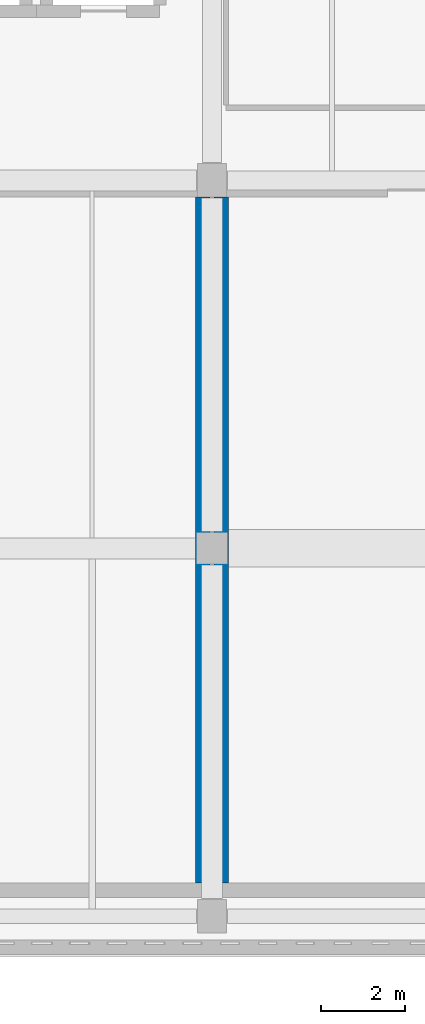
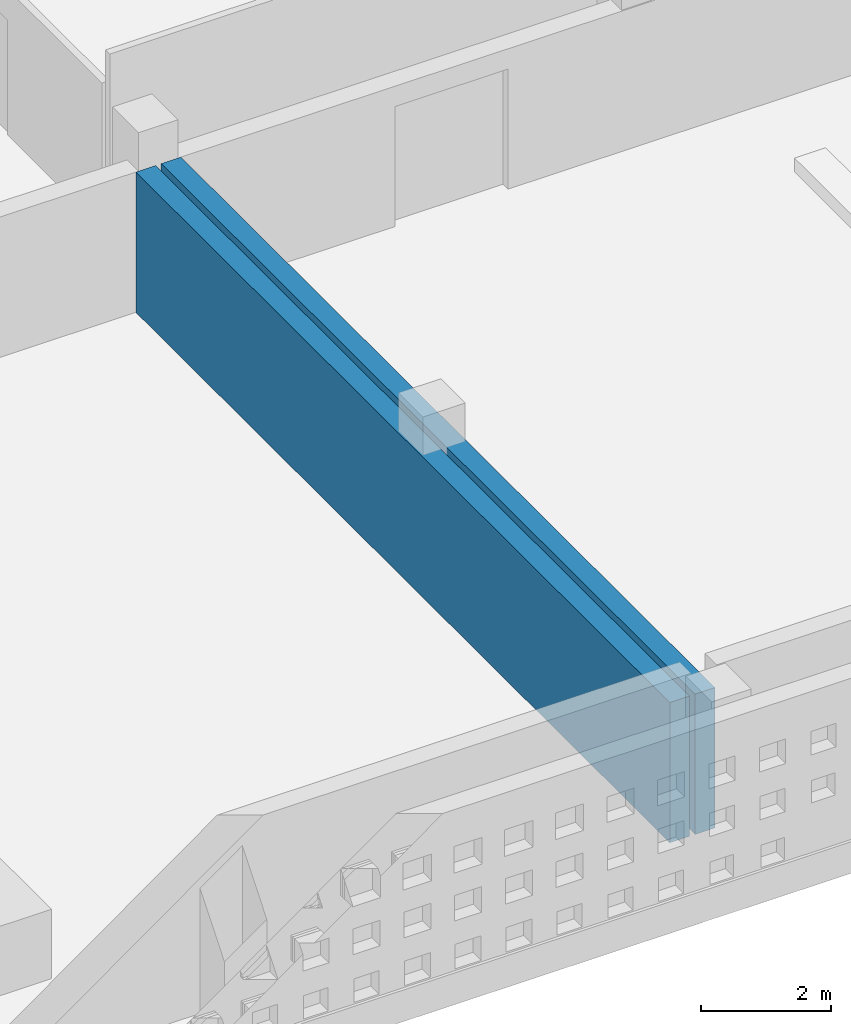
# One storey, part 74 of 93: 2 walls.
"""IFC4 building model written with IfcOpenShell, lengths in metres."""

import ifcopenshell
import ifcopenshell.guid

model = None  # the IFC model being written
_history = None  # IfcOwnerHistory: only IFC2X3 demands one
_inside = {}  # id of a spatial element -> (the spatial element, [elements in it])
_under = {}  # id of a project, library or spatial element -> (it, [spatial elements below it])
_declared = {}  # id of a project -> (the project, [libraries it declares])
_typed = {}  # id of a type object -> (the type object, [elements of that type])
_made_of = {}  # id of a material, layer set ... -> (it, [elements and type objects made of it])


def new_model(schema):
    """Start an empty IFC model of exactly this schema.

    Asked for "IFC4X3", IfcOpenShell would pick the latest addendum, in which some entities
    have other attributes; the version numbers below select the first issue.
    IFC2X3 requires an IfcOwnerHistory on every rooted entity: one is made here for all.
    """
    global model, _history
    if schema == "IFC4X3":
        model = ifcopenshell.file(schema_version=(4, 3, 0, 0))
    else:
        model = ifcopenshell.file(schema=schema)
    _inside.clear()
    _under.clear()
    _declared.clear()
    _typed.clear()
    _made_of.clear()
    _history = None
    if model.schema == "IFC2X3":
        org = make("IfcOrganization", Name="unknown")
        user = make(
            "IfcPersonAndOrganization",
            ThePerson=make("IfcPerson", FamilyName="unknown"),
            TheOrganization=org,
        )
        app = make(
            "IfcApplication",
            ApplicationDeveloper=org,
            Version="unknown",
            ApplicationFullName="unknown",
            ApplicationIdentifier="unknown",
        )
        _history = make(
            "IfcOwnerHistory",
            OwningUser=user,
            OwningApplication=app,
            ChangeAction="ADDED",
            CreationDate=0,
        )
    return model


def make(cls, **values):
    """One entity of the class cls with the attributes given. An attribute that is None is left unset."""
    return model.create_entity(
        cls, **{name: value for name, value in values.items() if value is not None}
    )


def rooted(cls, **values):
    """An entity with a GlobalId (a new one), such as an element, a storey or a relation."""
    return make(cls, GlobalId=ifcopenshell.guid.new(), OwnerHistory=_history, **values)


def si_unit(unit_type, name, prefix=None):
    """IfcSIUnit, for example si_unit("LENGTHUNIT", "METRE", prefix="MILLI")."""
    return make("IfcSIUnit", UnitType=unit_type, Prefix=prefix, Name=name)


def assignment(units):
    """IfcUnitAssignment: the units of a project."""
    return None if units is None else make("IfcUnitAssignment", Units=units)


def point(xyz):
    """IfcCartesianPoint."""
    return None if xyz is None else make("IfcCartesianPoint", Coordinates=xyz)


def direction(xyz):
    """IfcDirection."""
    return None if xyz is None else make("IfcDirection", DirectionRatios=xyz)


def frame(location, z_axis=None, x_axis=None):
    """IfcAxis2Placement3D, a coordinate frame: its origin and axes. An axis left out is left unset."""
    return make(
        "IfcAxis2Placement3D",
        Location=point(location),
        Axis=direction(z_axis),
        RefDirection=direction(x_axis),
    )


def frame_2d(location, x_axis=None):
    """IfcAxis2Placement2D, a coordinate frame in the plane: its origin and x axis."""
    return make(
        "IfcAxis2Placement2D", Location=point(location), RefDirection=direction(x_axis)
    )


def origin():
    """The frame at (0, 0, 0) with its axes left unset."""
    return frame((0.0, 0.0, 0.0))


def place(relative_to, where):
    """IfcLocalPlacement: puts the frame where relative to a parent placement (None: the world)."""
    return make(
        "IfcLocalPlacement", PlacementRelTo=relative_to, RelativePlacement=where
    )


def context(
    kind, dimensions, precision=None, world=None, true_north=None, identifier=None
):
    """IfcGeometricRepresentationContext, for example the 3D "Model" context."""
    return make(
        "IfcGeometricRepresentationContext",
        ContextIdentifier=identifier,
        ContextType=kind,
        CoordinateSpaceDimension=dimensions,
        Precision=precision,
        WorldCoordinateSystem=world,
        TrueNorth=true_north,
    )


def subcontext(parent, identifier, kind, view, scale=None):
    """IfcGeometricRepresentationSubContext, for example "Body" below "Model"."""
    return make(
        "IfcGeometricRepresentationSubContext",
        ContextIdentifier=identifier,
        ContextType=kind,
        ParentContext=parent,
        TargetScale=scale,
        TargetView=view,
    )


def project(units=None, contexts=None):
    """IfcProject with its units and contexts."""
    return rooted(
        "IfcProject",
        Name="project",
        RepresentationContexts=contexts,
        UnitsInContext=assignment(units),
    )


def spatial(cls, under=None, at=None, **own):
    """A site, building, storey or space (cls), placed at a placement, below another one or the project."""
    s = rooted(cls, ObjectPlacement=at, **own)
    if under is not None:
        _under.setdefault(under.id(), (under, []))[1].append(s)
    return s


def profile(cls, at=None, kind="AREA", **sizes):
    """A parametric profile (cls). Its sizes go by their IFC names, for example OverallWidth=200.0."""
    return make(cls, ProfileType=kind, Position=at, **sizes)


def rectangle(**sizes):
    """IfcRectangleProfileDef."""
    return profile("IfcRectangleProfileDef", **sizes)


def extrude(swept, where, along, depth):
    """IfcExtrudedAreaSolid: the profile swept, set in the frame where, extruded along a direction by depth."""
    return make(
        "IfcExtrudedAreaSolid",
        SweptArea=swept,
        Position=where,
        ExtrudedDirection=direction(along),
        Depth=depth,
    )


def shape(context_of_items, identifier, shape_type, items):
    """IfcShapeRepresentation: the items that make up one representation, for example the "Body"."""
    return make(
        "IfcShapeRepresentation",
        ContextOfItems=context_of_items,
        RepresentationIdentifier=identifier,
        RepresentationType=shape_type,
        Items=items,
    )


def material(Name=None, Category=None):
    """IfcMaterial."""
    return make("IfcMaterial", Name=Name, Category=Category)


def layer(
    of_material, thickness, ventilated=None, Name=None, Category=None, Priority=None
):
    """IfcMaterialLayer: one layer of a wall or slab, of a material (None: an air gap)."""
    return make(
        "IfcMaterialLayer",
        Material=of_material,
        LayerThickness=thickness,
        IsVentilated=ventilated,
        Name=Name,
        Category=Category,
        Priority=Priority,
    )


def layer_set(layers, Name=None):
    """IfcMaterialLayerSet."""
    return make("IfcMaterialLayerSet", MaterialLayers=layers, LayerSetName=Name)


def made_of(thing, what):
    """Note that an element or type object is made of a material, layer set ...; save() writes the relation."""
    if what is not None:
        _made_of.setdefault(what.id(), (what, []))[1].append(thing)
    return thing


def type_object(cls, material=None, **own):
    """A type object (cls), such as IfcWallType, which elements share."""
    return made_of(rooted(cls, **own), material)


def element(
    cls,
    number,
    at=None,
    inside=None,
    cuts=None,
    type_object=None,
    material=None,
    context=None,
    identifier="Body",
    shape_type=None,
    held_by="IfcProductDefinitionShape",
    body=None,
    shapes=None,
    **own,
):
    """One element of the class cls, such as IfcWall. Its Tag is "e" and its number.

    at: its placement. inside: the storey or other place that contains it. cuts: it is an
    opening in that element (IfcRelVoidsElement). A single representation is given by context,
    identifier, shape_type and body (its items); several are given by shapes. held_by: the class
    of the entity that holds the representations. save() writes the other relations.
    """
    e = rooted(cls, Tag="e%d" % number, ObjectPlacement=at, **own)
    if body is not None:
        shapes = [shape(context, identifier, shape_type, body)]
    if shapes is not None:
        e.Representation = make(held_by, Representations=shapes)
    if inside is not None:
        _inside.setdefault(inside.id(), (inside, []))[1].append(e)
    if cuts is not None:
        rooted(
            "IfcRelVoidsElement", RelatingBuildingElement=cuts, RelatedOpeningElement=e
        )
    if type_object is not None:
        _typed.setdefault(type_object.id(), (type_object, []))[1].append(e)
    return made_of(e, material)


def aggregate(whole, parts):
    """IfcRelAggregates: a whole, such as a stair, and the parts it consists of."""
    return rooted("IfcRelAggregates", RelatingObject=whole, RelatedObjects=parts)


def save(model, path):
    """Write the relations noted so far, then the file.

    IfcRelAggregates (storeys below a building ...), IfcRelContainedInSpatialStructure (elements
    in a storey), IfcRelDefinesByType, IfcRelAssociatesMaterial and IfcRelDeclares: one each for
    every whole, place, type object, material and project.
    """
    for whole, parts in _under.values():
        aggregate(whole, parts)
    for where, things in _inside.values():
        rooted(
            "IfcRelContainedInSpatialStructure",
            RelatedElements=things,
            RelatingStructure=where,
        )
    for kind, things in _typed.values():
        rooted("IfcRelDefinesByType", RelatedObjects=things, RelatingType=kind)
    for what, things in _made_of.values():
        rooted("IfcRelAssociatesMaterial", RelatedObjects=things, RelatingMaterial=what)
    for by, libraries in _declared.values():
        rooted("IfcRelDeclares", RelatingContext=by, RelatedDefinitions=libraries)
    model.write(path)


model = new_model("IFC4")

# Units and contexts
model_context = context("Model", 3, precision=1e-05, world=origin(), true_north=direction((0.0, 1.0)))
body_context = subcontext(model_context, "Body", "Model", "MODEL_VIEW")
ifc_project = project(units=[si_unit("LENGTHUNIT", "METRE"), si_unit("AREAUNIT", "SQUARE_METRE"), si_unit("VOLUMEUNIT", "CUBIC_METRE"), si_unit("PLANEANGLEUNIT", "RADIAN"), si_unit("MASSUNIT", "GRAM", prefix="KILO")], contexts=[model_context])

# Site, building, storey
site_placement = place(None, origin())
site = spatial("IfcSite", under=ifc_project, at=site_placement, CompositionType="ELEMENT")
building_placement = place(site_placement, origin())
building = spatial("IfcBuilding", under=site, at=building_placement, Name="Varnakota Cinema and Media Centre", CompositionType="ELEMENT")
storey_placement = place(building_placement, frame((0.0, 0.0, 12.0)))
storey = spatial("IfcBuildingStorey", under=building, at=storey_placement, Name="L03", CompositionType="ELEMENT", Elevation=12.0)

# Walls
ifc_material = material(Name="Concrete M40", Category="concrete")
ifc_layer = layer(ifc_material, 0.35009765625)
ifc_layer_set = layer_set([ifc_layer], Name="Concrete M40")
wall_type = type_object("IfcWallType", Name="W-SEP-350", PredefinedType="SOLIDWALL", material=ifc_layer_set)
for number, where, z_axis, x_axis, name in (
    (1, (25.574951171875, 17.199951171875, 0.0), (0.0, 0.0, 1.0), (0.0, -1.0, 0.0), "L03 RWALL-RM-L03-SCR4 E wall"),
    (2, (26.02490234375, 0.800048828125, 0.0), (0.0, 0.0, 1.0), (0.0, 1.0, 0.0), "L03 RWALL-RM-L03-SCR5 W wall"),
):
    element("IfcWall", number, at=place(storey_placement, frame(where, z_axis=z_axis, x_axis=x_axis)), inside=storey, type_object=wall_type, Name=name, PredefinedType="SOLIDWALL", context=body_context, shape_type="SweptSolid", body=[
        extrude(rectangle(XDim=16.39990234375, YDim=0.35009765625, at=frame_2d((8.199951171875, 0.0))), origin(), (0.0, 0.0, 1.0), 2.6298828125),
    ])

save(model, "model.ifc")
